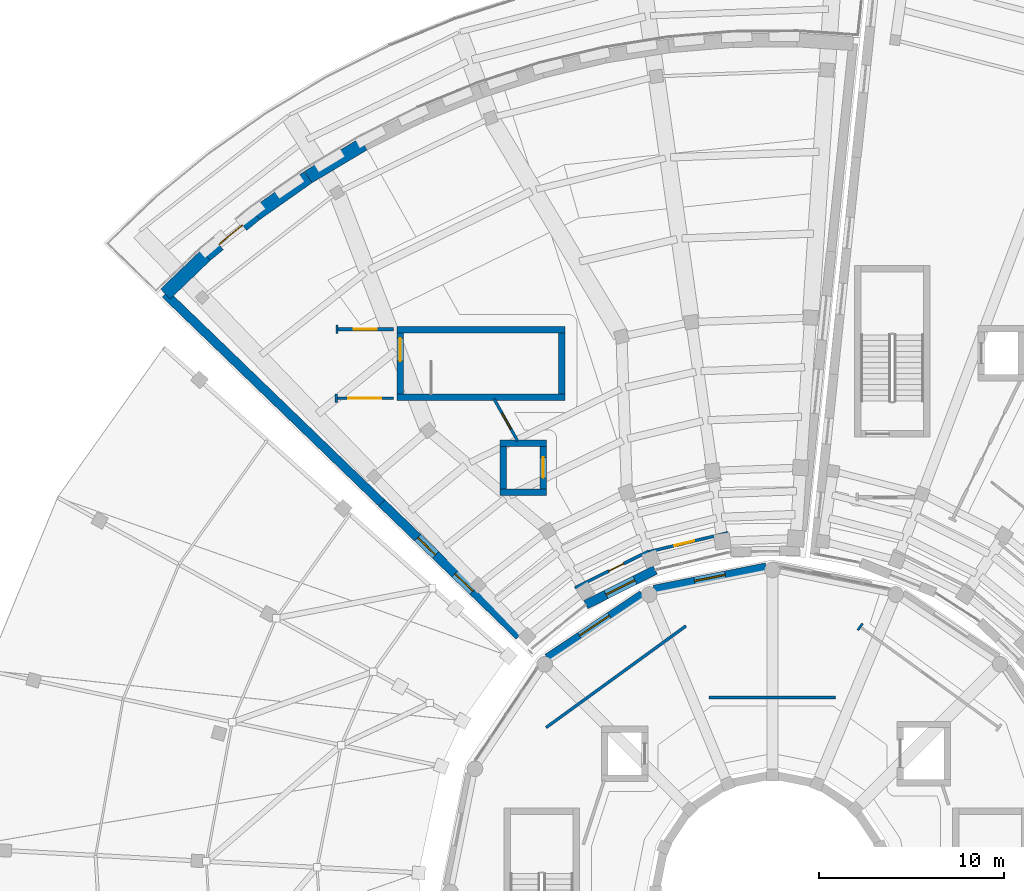
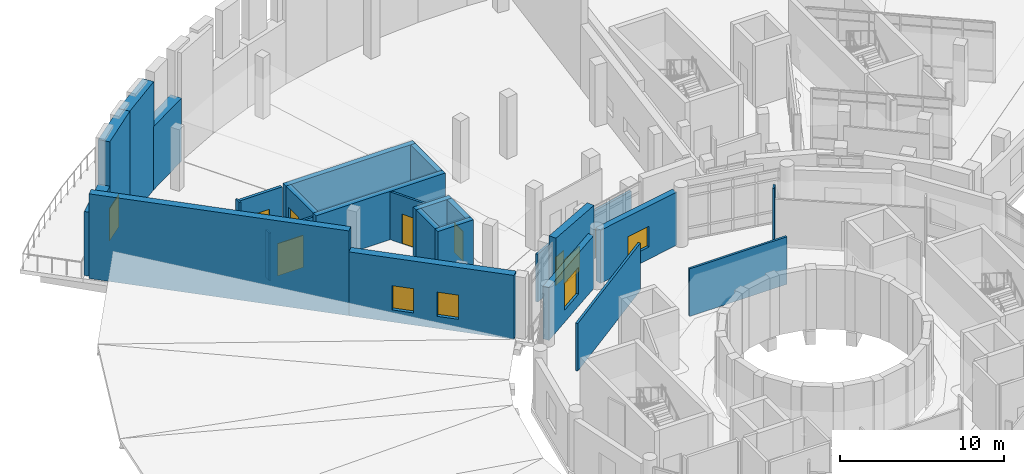
# One storey, part 35 of 49: 27 walls, 8 doors, 5 windows, 13 openings.
"""IFC4 building model written with IfcOpenShell, lengths in metres."""

from ifc_helpers import new_model, si_unit, direction, frame, frame_2d, origin, place, context, subcontext, project, spatial, rectangle, extrude, material, layer, layer_set, type_object, element, fill, save


model = new_model("IFC4")

# Units and contexts
model_context = context("Model", 3, precision=1e-05, world=origin(), true_north=direction((0.0, 1.0)))
body_context = subcontext(model_context, "Body", "Model", "MODEL_VIEW")
ifc_project = project(units=[si_unit("LENGTHUNIT", "METRE"), si_unit("AREAUNIT", "SQUARE_METRE"), si_unit("VOLUMEUNIT", "CUBIC_METRE"), si_unit("PLANEANGLEUNIT", "RADIAN"), si_unit("MASSUNIT", "GRAM", prefix="KILO")], contexts=[model_context])

# Site, building, storey
site_placement = place(None, origin())
site = spatial("IfcSite", under=ifc_project, at=site_placement, CompositionType="ELEMENT")
building_placement = place(site_placement, origin())
building = spatial("IfcBuilding", under=site, at=building_placement, Name="Soyqirgoq Riverine Aquarium", CompositionType="ELEMENT")
storey_placement = place(building_placement, frame((0.0, 0.0, 15.0)))
storey = spatial("IfcBuildingStorey", under=building, at=storey_placement, Name="L04", CompositionType="ELEMENT", Elevation=15.0)

# Walls
ifc_material_1 = material(Name="Concrete C40/50", Category="concrete")
ifc_layer_1 = layer(ifc_material_1, 0.35009765625)
ifc_layer_set_1 = layer_set([ifc_layer_1], Name="Concrete C40/50")
wall_type_1 = type_object("IfcWallType", Name="CoreShearWall_350_C40", PredefinedType="SHEAR", material=ifc_layer_set_1)
wall_1_placement = place(storey_placement, frame((35.64990234375, 83.824951171875, 0.0), z_axis=(0.0, 0.0, 1.0), x_axis=(1.0, 0.0, 0.0)))
element("IfcWall", 1, at=wall_1_placement, inside=storey, type_object=wall_type_1, Name="CORE-4 L04 Stair Core Shear Wall SIDE1", PredefinedType="SHEAR", context=body_context, shape_type="SweptSolid", body=[
    extrude(rectangle(XDim=9.10009765625, YDim=0.35009765625, at=frame_2d((4.550048828125, 0.0))), origin(), (0.0, 0.0, 1.0), 3.60009765625),
])
wall_2_placement = place(storey_placement, frame((44.574951171875, 84.0, 0.0), z_axis=(0.0, 0.0, 1.0), x_axis=(0.0, 1.0, 0.0)))
element("IfcWall", 2, at=wall_2_placement, inside=storey, type_object=wall_type_1, Name="CORE-4 L04 Stair Core Shear Wall BACK", PredefinedType="SHEAR", context=body_context, shape_type="SweptSolid", body=[
    extrude(rectangle(XDim=3.300048828125, YDim=0.35009765625, at=frame_2d((1.64990234375, 0.0))), origin(), (0.0, 0.0, 1.0), 3.60009765625),
])
wall_3_placement = place(storey_placement, frame((44.75, 87.47509765625, 0.0), z_axis=(0.0, 0.0, 1.0), x_axis=(-1.0, 0.0, 0.0)))
element("IfcWall", 3, at=wall_3_placement, inside=storey, type_object=wall_type_1, Name="CORE-4 L04 Stair Core Shear Wall SIDE2", PredefinedType="SHEAR", context=body_context, shape_type="SweptSolid", body=[
    extrude(rectangle(XDim=9.10009765625, YDim=0.35009765625, at=frame_2d((4.550048828125, 0.0))), origin(), (0.0, 0.0, 1.0), 3.60009765625),
])

# Wall, opening, door
wall_4_placement = place(storey_placement, frame((35.824951171875, 87.300048828125, 0.0), z_axis=(0.0, 0.0, 1.0), x_axis=(0.0, -1.0, 0.0)))
wall_4 = element("IfcWall", 4, at=wall_4_placement, inside=storey, type_object=wall_type_1, Name="CORE-4 L04 Stair Core Shear Wall FRONT", PredefinedType="SHEAR", context=body_context, shape_type="SweptSolid", body=[
    extrude(rectangle(XDim=3.300048828125, YDim=0.35009765625, at=frame_2d((1.64990234375, 0.0))), origin(), (0.0, 0.0, 1.0), 3.60009765625),
])
opening_1_placement = place(wall_4_placement, frame((0.280029296875, 0.0, 0.0)))
opening_1 = element("IfcOpeningElement", 5, at=opening_1_placement, cuts=wall_4, Name="Opening FD-01", PredefinedType="OPENING", context=body_context, shape_type="SweptSolid", body=[
    extrude(rectangle(XDim=1.25, YDim=2.199951171875, at=frame_2d((0.625, 1.10009765625))), frame((0.0, 0.18505859375, 0.0), z_axis=(0.0, -1.0, 0.0), x_axis=(1.0, 0.0, 0.0)), (0.0, 0.0, 1.0), 0.3701171875),
])
ifc_material_2 = material(Name="Galvanised steel fire-resisting stair door", Category="steel")
door_type_1 = type_object("IfcDoorType", Name="StairFireDoor_1250x2200_EI90", OperationType="NOTDEFINED", PredefinedType="DOOR", material=ifc_material_2)
door_1_placement = place(opening_1_placement, origin())
door_1 = element("IfcDoor", 6, at=door_1_placement, inside=storey, type_object=door_type_1, Name="DR-ST-4-L04 ST-4 L04 Fire-Rated Stairwell Door", OperationType="SINGLE_SWING_LEFT", OverallHeight=2.199951171875, OverallWidth=1.25, PredefinedType="DOOR", context=body_context, shape_type="SweptSolid", body=[
    extrude(rectangle(XDim=1.25, YDim=2.199951171875, at=frame_2d((0.625, 1.10009765625))), frame((0.0, 0.02490234375, 0.0), z_axis=(0.0, -1.0, 0.0), x_axis=(1.0, 0.0, 0.0)), (0.0, 0.0, 1.0), 0.050048828125),
])
fill(opening_1, door_1)

# Wall
wall_5_placement = place(storey_placement, frame((41.2451171875, 78.669921875, 0.0), z_axis=(0.0, 0.0, 1.0), x_axis=(1.0, 0.0, 0.0)))
element("IfcWall", 7, at=wall_5_placement, inside=storey, type_object=wall_type_1, Name="Lift PL-3 Shaft Wall L04 1", PredefinedType="SHEAR", context=body_context, shape_type="SweptSolid", body=[
    extrude(rectangle(XDim=2.509765625, YDim=0.35009765625, at=frame_2d((1.2548828125, 0.0))), origin(), (0.0, 0.0, 1.0), 3.60009765625),
])

# Wall, opening, door
wall_6_placement = place(storey_placement, frame((43.580078125, 78.844970703125, 0.0), z_axis=(0.0, 0.0, 1.0), x_axis=(0.0, 1.0, 0.0)))
wall_6 = element("IfcWall", 8, at=wall_6_placement, inside=storey, type_object=wall_type_1, Name="Lift PL-3 Shaft Wall L04 2", PredefinedType="SHEAR", context=body_context, shape_type="SweptSolid", body=[
    extrude(rectangle(XDim=2.31005859375, YDim=0.35009765625, at=frame_2d((1.155029296875, 0.0))), origin(), (0.0, 0.0, 1.0), 3.60009765625),
])
opening_2_placement = place(wall_6_placement, frame((0.60498046875, 0.0, 0.0)))
opening_2 = element("IfcOpeningElement", 9, at=opening_2_placement, cuts=wall_6, Name="Opening LD-01", PredefinedType="OPENING", context=body_context, shape_type="SweptSolid", body=[
    extrude(rectangle(XDim=1.10009765625, YDim=2.199951171875, at=frame_2d((0.550048828125, 1.10009765625))), frame((0.0, 0.18505859375, 0.0), z_axis=(0.0, -1.0, 0.0), x_axis=(1.0, 0.0, 0.0)), (0.0, 0.0, 1.0), 0.3701171875),
])
ifc_material_3 = material(Name="Brushed stainless steel telescopic lift landing door", Category="steel")
door_type_2 = type_object("IfcDoorType", Name="LiftLandingDoor_1100x2200", OperationType="SLIDING_TO_LEFT", PredefinedType="DOOR", material=ifc_material_3)
door_2_placement = place(opening_2_placement, origin())
door_2 = element("IfcDoor", 10, at=door_2_placement, inside=storey, type_object=door_type_2, Name="LD-PL-3-L04 Lift PL-3 L04 Sliding Landing Door", OperationType="SLIDING_TO_LEFT", OverallHeight=2.199951171875, OverallWidth=1.10009765625, PredefinedType="DOOR", context=body_context, shape_type="SweptSolid", body=[
    extrude(rectangle(XDim=1.10009765625, YDim=2.199951171875, at=frame_2d((0.550048828125, 1.10009765625))), frame((0.0, 0.02490234375, 0.0), z_axis=(0.0, -1.0, 0.0), x_axis=(1.0, 0.0, 0.0)), (0.0, 0.0, 1.0), 0.050048828125),
])
fill(opening_2, door_2)

# Walls
wall_7_placement = place(storey_placement, frame((43.7548828125, 81.330078125, 0.0), z_axis=(0.0, 0.0, 1.0), x_axis=(-1.0, 0.0, 0.0)))
element("IfcWall", 11, at=wall_7_placement, inside=storey, type_object=wall_type_1, Name="Lift PL-3 Shaft Wall L04 3", PredefinedType="SHEAR", context=body_context, shape_type="SweptSolid", body=[
    extrude(rectangle(XDim=2.509765625, YDim=0.35009765625, at=frame_2d((1.2548828125, 0.0))), origin(), (0.0, 0.0, 1.0), 3.60009765625),
])
wall_8_placement = place(storey_placement, frame((41.419921875, 81.155029296875, 0.0), z_axis=(0.0, 0.0, 1.0), x_axis=(0.0, -1.0, 0.0)))
element("IfcWall", 12, at=wall_8_placement, inside=storey, type_object=wall_type_1, Name="Lift PL-3 Shaft Wall L04 4", PredefinedType="SHEAR", context=body_context, shape_type="SweptSolid", body=[
    extrude(rectangle(XDim=2.31005859375, YDim=0.35009765625, at=frame_2d((1.155029296875, 0.0))), origin(), (0.0, 0.0, 1.0), 3.60009765625),
])
ifc_material_4 = material(Name="Lightweight steel-stud gypsum partition", Category="steel")
ifc_layer_2 = layer(ifc_material_4, 0.1201171875)
ifc_layer_set_2 = layer_set([ifc_layer_2], Name="Lightweight steel-stud gypsum partition")
wall_type_2 = type_object("IfcWallType", Name="PartitionWall_120_Std", PredefinedType="PARTITIONING", material=ifc_layer_set_2)
wall_9_placement = place(storey_placement, frame((60.62451171875, 71.193603515625, 0.0), z_axis=(0.0, 0.0, 1.0), x_axis=(0.587676645097, 0.809095890984, 0.0)))
element("IfcWall", 13, at=wall_9_placement, inside=storey, type_object=wall_type_2, Name="V1 L04 Jamb Return Pier", PredefinedType="PARTITIONING", context=body_context, shape_type="SweptSolid", body=[
    extrude(rectangle(XDim=0.43994140625, YDim=0.1201171875, at=frame_2d((0.219970703125, 0.0))), origin(), (0.0, 0.0, 1.0), 4.449951171875),
])
for number, where, z_axis, x_axis, name in (
    (14, (32.39990234375, 87.719970703125, 0.0), (0.0, 0.0, 1.0), (0.0, -1.0, 0.0), "V4 L04 Jamb Return Pier"),
    (15, (32.360107421875, 83.97998046875, 0.0), (0.0, 0.0, 1.0), (0.0, -1.0, 0.0), "V4 L04 Jamb Return Pier"),
):
    element("IfcWall", number, at=place(storey_placement, frame(where, z_axis=z_axis, x_axis=x_axis)), inside=storey, type_object=wall_type_2, Name=name, PredefinedType="PARTITIONING", context=body_context, shape_type="SweptSolid", body=[
        extrude(rectangle(XDim=0.43994140625, YDim=0.1201171875, at=frame_2d((0.219970703125, 0.0))), origin(), (0.0, 0.0, 1.0), 3.550048828125),
    ])
ifc_material_5 = material(Name="Acoustic mineral-wool twin-stud partition", Category="gypsum")
ifc_layer_3 = layer(ifc_material_5, 0.14990234375)
ifc_layer_set_3 = layer_set([ifc_layer_3], Name="Acoustic mineral-wool twin-stud partition")
wall_type_3 = type_object("IfcWallType", Name="PartitionWall_150_Acoustic", PredefinedType="PARTITIONING", material=ifc_layer_set_3)
wall_10_placement = place(storey_placement, frame((59.426025390625, 67.544189453125, 0.0), z_axis=(0.0, 0.0, 1.0), x_axis=(-1.0, 0.0, 0.0)))
element("IfcWall", 16, at=wall_10_placement, inside=storey, type_object=wall_type_3, Name="Deep Reef Viewing Gallery Partition Wall", PredefinedType="PARTITIONING", context=body_context, shape_type="SweptSolid", body=[
    extrude(rectangle(XDim=6.85205078125, YDim=0.14990234375, at=frame_2d((3.426025390625, 0.0))), origin(), (0.0, 0.0, 1.0), 3.5400390625),
])

# Wall, opening, door
wall_11_placement = place(storey_placement, frame((35.449951171875, 83.760009765625, 0.0), z_axis=(0.0, 0.0, 1.0), x_axis=(-1.0, 0.0, 0.0)))
wall_11 = element("IfcWall", 17, at=wall_11_placement, inside=storey, type_object=wall_type_3, Name="Touch Pool Gallery Partition Wall", PredefinedType="PARTITIONING", context=body_context, shape_type="SweptSolid", body=[
    extrude(rectangle(XDim=3.08984375, YDim=0.14990234375, at=frame_2d((1.544921875, 0.0))), origin(), (0.0, 0.0, 1.0), 3.550048828125),
])
opening_3_placement = place(wall_11_placement, frame((0.64501953125, 0.0, 0.0)))
opening_3 = element("IfcOpeningElement", 18, at=opening_3_placement, cuts=wall_11, Name="Opening ID-01", PredefinedType="OPENING", context=body_context, shape_type="SweptSolid", body=[
    extrude(rectangle(XDim=1.800048828125, YDim=2.39990234375, at=frame_2d((0.89990234375, 1.199951171875))), frame((0.0, 0.0849609375, 0.0), z_axis=(0.0, -1.0, 0.0), x_axis=(1.0, 0.0, 0.0)), (0.0, 0.0, 1.0), 0.169921875),
])
ifc_material_6 = material(Name="Acoustic timber-framed glazed gallery double door", Category="wood")
door_type_3 = type_object("IfcDoorType", Name="GalleryDoubleDoor_1800x2400", OperationType="DOUBLE_DOOR_SINGLE_SWING", PredefinedType="DOOR", material=ifc_material_6)
door_3_placement = place(opening_3_placement, origin())
door_3 = element("IfcDoor", 19, at=door_3_placement, inside=storey, type_object=door_type_3, Name="IDR-V4-L04-0131 Touch Pool Gallery Door", OperationType="DOUBLE_DOOR_SINGLE_SWING", OverallHeight=2.39990234375, OverallWidth=1.800048828125, PredefinedType="DOOR", context=body_context, shape_type="SweptSolid", body=[
    extrude(rectangle(XDim=1.800048828125, YDim=2.39990234375, at=frame_2d((0.89990234375, 1.199951171875))), frame((0.0, 0.02490234375, 0.0), z_axis=(0.0, -1.0, 0.0), x_axis=(1.0, 0.0, 0.0)), (0.0, 0.0, 1.0), 0.050048828125),
])
fill(opening_3, door_3)

wall_12_placement = place(storey_placement, frame((42.1962890625, 81.4345703125, 0.0), z_axis=(0.0, 0.0, 1.0), x_axis=(-0.489363287423, 0.872080026673, 0.0)))
wall_12 = element("IfcWall", 20, at=wall_12_placement, inside=storey, type_object=wall_type_3, Name="Touch Pool Gallery Partition Wall", PredefinedType="PARTITIONING", context=body_context, shape_type="SweptSolid", body=[
    extrude(rectangle(XDim=2.62109375, YDim=0.14990234375, at=frame_2d((1.310546875, 0.0))), origin(), (0.0, 0.0, 1.0), 3.550048828125),
])
opening_4_placement = place(wall_12_placement, frame((0.75048828125, 0.0, 0.0)))
opening_4 = element("IfcOpeningElement", 21, at=opening_4_placement, cuts=wall_12, Name="Opening ID-03", PredefinedType="OPENING", context=body_context, shape_type="SweptSolid", body=[
    extrude(rectangle(XDim=1.0, YDim=2.199951171875, at=frame_2d((0.5, 1.10009765625))), frame((0.0, 0.0849609375, 0.0), z_axis=(0.0, -1.0, 0.0), x_axis=(1.0, 0.0, 0.0)), (0.0, 0.0, 1.0), 0.169921875),
])
ifc_material_7 = material(Name="Solid-core ash veneer room door", Category="wood")
door_type_4 = type_object("IfcDoorType", Name="RoomDoor_1000x2200", OperationType="NOTDEFINED", PredefinedType="DOOR", material=ifc_material_7)
door_4_placement = place(opening_4_placement, origin())
door_4 = element("IfcDoor", 22, at=door_4_placement, inside=storey, type_object=door_type_4, Name="IDR-V4-L04-0132 Intertidal Discovery Tidepool Hall Door", OperationType="SINGLE_SWING_LEFT", OverallHeight=2.199951171875, OverallWidth=1.0, PredefinedType="DOOR", context=body_context, shape_type="SweptSolid", body=[
    extrude(rectangle(XDim=1.0, YDim=2.199951171875, at=frame_2d((0.5, 1.10009765625))), frame((0.0, 0.02490234375, 0.0), z_axis=(0.0, -1.0, 0.0), x_axis=(1.0, 0.0, 0.0)), (0.0, 0.0, 1.0), 0.050048828125),
])
fill(opening_4, door_4)

# Wall
ifc_material_8 = material(Name="Fire-rated acoustic gypsum stud partition", Category="gypsum")
ifc_layer_4 = layer(ifc_material_8, 0.159912109375)
ifc_layer_set_4 = layer_set([ifc_layer_4], Name="Fire-rated acoustic gypsum stud partition")
wall_type_4 = type_object("IfcWallType", Name="PartitionWall_160_EI60", PredefinedType="PARTITIONING", material=ifc_layer_set_4)
wall_13_placement = place(storey_placement, frame((43.73291015625, 65.91259765625, 0.0), z_axis=(0.0, 0.0, 1.0), x_axis=(0.80900863343, 0.587796759973, 0.0)))
element("IfcWall", 23, at=wall_13_placement, inside=storey, type_object=wall_type_4, Name="Interactive Reef Classroom Partition Wall", PredefinedType="PARTITIONING", context=body_context, shape_type="SweptSolid", body=[
    extrude(rectangle(XDim=9.37109375, YDim=0.159912109375, at=frame_2d((4.685546875, 0.0))), origin(), (0.0, 0.0, 1.0), 3.5400390625),
])

# Wall, opening, door
wall_14_placement = place(storey_placement, frame((45.2978515625, 73.47998046875, 0.0), z_axis=(0.0, 0.0, 1.0), x_axis=(0.894931487964, 0.446203576689, 0.0)))
wall_14 = element("IfcWall", 24, at=wall_14_placement, inside=storey, type_object=wall_type_4, Name="V4 Gallery Circulation Corridor Partition Wall", PredefinedType="PARTITIONING", context=body_context, shape_type="SweptSolid", body=[
    extrude(rectangle(XDim=4.448974609375, YDim=0.159912109375, at=frame_2d((2.224609375, 0.0))), origin(), (0.0, 0.0, 1.0), 3.550048828125),
])
opening_5_placement = place(wall_14_placement, frame((2.058349609375, 0.0, 0.0)))
opening_5 = element("IfcOpeningElement", 25, at=opening_5_placement, cuts=wall_14, Name="Opening RD-01", PredefinedType="OPENING", context=body_context, shape_type="SweptSolid", body=[
    extrude(rectangle(XDim=0.89990234375, YDim=2.10009765625, at=frame_2d((0.449951171875, 1.050048828125))), frame((0.0, 0.08984375, 0.0), z_axis=(0.0, -1.0, 0.0), x_axis=(1.0, 0.0, 0.0)), (0.0, 0.0, 1.0), 0.179931640625),
])
ifc_material_9 = material(Name="Flush steel service riser fire door", Category="steel")
door_type_5 = type_object("IfcDoorType", Name="RiserAccessDoor_900x2100_EI60", OperationType="NOTDEFINED", PredefinedType="DOOR", material=ifc_material_9)
door_5_placement = place(opening_5_placement, origin())
door_5 = element("IfcDoor", 26, at=door_5_placement, inside=storey, type_object=door_type_5, Name="IDR-V4-L04-0130 Family Wet Classroom Door", OperationType="SINGLE_SWING_RIGHT", OverallHeight=2.10009765625, OverallWidth=0.89990234375, PredefinedType="DOOR", context=body_context, shape_type="SweptSolid", body=[
    extrude(rectangle(XDim=0.89990234375, YDim=2.10009765625, at=frame_2d((0.449951171875, 1.050048828125))), frame((0.0, 0.02490234375, 0.0), z_axis=(0.0, -1.0, 0.0), x_axis=(1.0, 0.0, 0.0)), (0.0, 0.0, 1.0), 0.050048828125),
])
fill(opening_5, door_5)

wall_15_placement = place(storey_placement, frame((53.60888671875, 76.473388671875, 0.0), z_axis=(0.0, 0.0, 1.0), x_axis=(-0.972372377971, -0.233435127087, 0.0)))
wall_15 = element("IfcWall", 27, at=wall_15_placement, inside=storey, type_object=wall_type_4, Name="Family Wet Classroom Partition Wall", PredefinedType="PARTITIONING", context=body_context, shape_type="SweptSolid", body=[
    extrude(rectangle(XDim=4.455322265625, YDim=0.159912109375, at=frame_2d((2.2275390625, 0.0))), origin(), (0.0, 0.0, 1.0), 3.550048828125),
])
opening_6_placement = place(wall_15_placement, frame((1.905029296875, 0.0, 0.0)))
opening_6 = element("IfcOpeningElement", 28, at=opening_6_placement, cuts=wall_15, Name="Opening ID-04", PredefinedType="OPENING", context=body_context, shape_type="SweptSolid", body=[
    extrude(rectangle(XDim=1.10009765625, YDim=2.199951171875, at=frame_2d((0.550048828125, 1.10009765625))), frame((0.0, 0.08984375, 0.0), z_axis=(0.0, -1.0, 0.0), x_axis=(1.0, 0.0, 0.0)), (0.0, 0.0, 1.0), 0.179931640625),
])
ifc_material_10 = material(Name="Chemical-resistant HPL fire-rated laboratory door", Category="wood")
door_type_6 = type_object("IfcDoorType", Name="LabDoor_1100x2200_EI60", OperationType="NOTDEFINED", PredefinedType="DOOR", material=ifc_material_10)
door_6_placement = place(opening_6_placement, origin())
door_6 = element("IfcDoor", 29, at=door_6_placement, inside=storey, type_object=door_type_6, Name="IDR-V4-L04-0133 Family Wet Classroom Door", OperationType="SINGLE_SWING_RIGHT", OverallHeight=2.199951171875, OverallWidth=1.10009765625, PredefinedType="DOOR", context=body_context, shape_type="SweptSolid", body=[
    extrude(rectangle(XDim=1.10009765625, YDim=2.199951171875, at=frame_2d((0.550048828125, 1.10009765625))), frame((0.0, 0.02490234375, 0.0), z_axis=(0.0, -1.0, 0.0), x_axis=(1.0, 0.0, 0.0)), (0.0, 0.0, 1.0), 0.050048828125),
])
fill(opening_6, door_6)

ifc_material_11 = material(Name="Fire-rated calcium silicate twin-stud partition", Category="gypsum")
ifc_layer_5 = layer(ifc_material_11, 0.199951171875)
ifc_layer_set_5 = layer_set([ifc_layer_5], Name="Fire-rated calcium silicate twin-stud partition")
wall_type_5 = type_object("IfcWallType", Name="PartitionWall_200_EI90", PredefinedType="PARTITIONING", material=ifc_layer_set_5)
wall_16_placement = place(storey_placement, frame((35.449951171875, 87.5, 0.0), z_axis=(0.0, 0.0, 1.0), x_axis=(-1.0, 0.0, 0.0)))
wall_16 = element("IfcWall", 30, at=wall_16_placement, inside=storey, type_object=wall_type_5, Name="Lift and Stair Lobby ST-4 Fire Enclosure Wall", PredefinedType="PARTITIONING", context=body_context, shape_type="SweptSolid", body=[
    extrude(rectangle(XDim=3.050048828125, YDim=0.199951171875, at=frame_2d((1.52490234375, 0.0))), origin(), (0.0, 0.0, 1.0), 3.550048828125),
])
opening_7_placement = place(wall_16_placement, frame((0.89990234375, 0.0, 0.0)))
opening_7 = element("IfcOpeningElement", 31, at=opening_7_placement, cuts=wall_16, Name="Opening FD-01", PredefinedType="OPENING", context=body_context, shape_type="SweptSolid", body=[
    extrude(rectangle(XDim=1.25, YDim=2.199951171875, at=frame_2d((0.625, 1.10009765625))), frame((0.0, 0.10986328125, 0.0), z_axis=(0.0, -1.0, 0.0), x_axis=(1.0, 0.0, 0.0)), (0.0, 0.0, 1.0), 0.219970703125),
])
door_7_placement = place(opening_7_placement, origin())
door_7 = element("IfcDoor", 32, at=door_7_placement, inside=storey, type_object=door_type_1, Name="IDR-V4-L04-0128 Lift and Stair Lobby ST-4 Egress Fire Door", OperationType="SINGLE_SWING_LEFT", OverallHeight=2.199951171875, OverallWidth=1.25, PredefinedType="DOOR", context=body_context, shape_type="SweptSolid", body=[
    extrude(rectangle(XDim=1.25, YDim=2.199951171875, at=frame_2d((0.625, 1.10009765625))), frame((0.0, 0.02490234375, 0.0), z_axis=(0.0, -1.0, 0.0), x_axis=(1.0, 0.0, 0.0)), (0.0, 0.0, 1.0), 0.050048828125),
])
fill(opening_7, door_7)

# Wall
ifc_material_12 = material(Name="Honed travertine limestone cavity wall", Category="masonry")
ifc_layer_6 = layer(ifc_material_12, 0.47998046875)
ifc_layer_set_6 = layer_set([ifc_layer_6], Name="Honed travertine limestone cavity wall")
wall_type_6 = type_object("IfcWallType", Name="TravertineCavityWall_480", PredefinedType="SOLIDWALL", material=ifc_layer_set_6)
wall_17_placement = place(storey_placement, frame((34.824951171875, 78.087890625, 0.0), z_axis=(0.0, 0.0, 1.0), x_axis=(-0.719339781949, 0.694658389502, 0.0)))
element("IfcWall", 33, at=wall_17_placement, inside=storey, type_object=wall_type_6, Name="V4 L04 Exterior Travertine Wall 0220", PredefinedType="SOLIDWALL", context=body_context, shape_type="SweptSolid", body=[
    extrude(rectangle(XDim=16.301513671875, YDim=0.47998046875, at=frame_2d((8.15087890625, 0.0))), origin(), (0.0, 0.0, 1.0), 6.301513671875),
])

# Wall, openings, windows
ifc_material_13 = material(Name="Honed travertine limestone cavity wall", Category="masonry")
ifc_layer_7 = layer(ifc_material_13, 0.5)
ifc_layer_set_7 = layer_set([ifc_layer_7], Name="Honed travertine limestone cavity wall")
wall_type_7 = type_object("IfcWallType", Name="TravertineCavityWall_500", PredefinedType="SOLIDWALL", material=ifc_layer_set_7)
wall_18_placement = place(storey_placement, frame((42.280517578125, 70.88818359375, 0.0), z_axis=(0.0, 0.0, 1.0), x_axis=(-0.719342199252, 0.694655886303, 0.0)))
wall_18 = element("IfcWall", 34, at=wall_18_placement, inside=storey, type_object=wall_type_7, Name="V4 L04 Exterior Travertine Wall 0219", PredefinedType="SOLIDWALL", context=body_context, shape_type="SweptSolid", body=[
    extrude(rectangle(XDim=10.364501953125, YDim=0.5, at=frame_2d((5.18212890625, 0.0))), origin(), (0.0, 0.0, 1.0), 4.75341796875),
])
opening_8_placement = place(wall_18_placement, frame((3.487060546875, 0.0, 0.89990234375)))
opening_8 = element("IfcOpeningElement", 35, at=opening_8_placement, cuts=wall_18, Name="Opening WN-08", PredefinedType="OPENING", context=body_context, shape_type="SweptSolid", body=[
    extrude(rectangle(XDim=1.35009765625, YDim=1.800048828125, at=frame_2d((0.675048828125, 0.89990234375))), frame((0.0, 0.260009765625, 0.0), z_axis=(0.0, -1.0, 0.0), x_axis=(1.0, 0.0, 0.0)), (0.0, 0.0, 1.0), 0.52001953125),
])
opening_9_placement = place(wall_18_placement, frame((6.30712890625, 0.0, 0.89990234375)))
opening_9 = element("IfcOpeningElement", 36, at=opening_9_placement, cuts=wall_18, Name="Opening WN-08", PredefinedType="OPENING", context=body_context, shape_type="SweptSolid", body=[
    extrude(rectangle(XDim=1.35009765625, YDim=1.800048828125, at=frame_2d((0.675048828125, 0.89990234375))), frame((0.0, 0.260009765625, 0.0), z_axis=(0.0, -1.0, 0.0), x_axis=(1.0, 0.0, 0.0)), (0.0, 0.0, 1.0), 0.52001953125),
])
ifc_material_14 = material(Name="Thermally broken aluminium triple low-E window", Category="aluminium")
window_type_1 = type_object("IfcWindowType", Name="Win_Office_1350x1800", PartitioningType="DOUBLE_PANEL_VERTICAL", PredefinedType="WINDOW", material=ifc_material_14)
window_1_placement = place(opening_8_placement, origin())
window_1 = element("IfcWindow", 37, at=window_1_placement, inside=storey, type_object=window_type_1, Name="V4 L04 Facade Window 0173", OverallHeight=1.800048828125, OverallWidth=1.35009765625, PartitioningType="DOUBLE_PANEL_VERTICAL", PredefinedType="WINDOW", context=body_context, shape_type="SweptSolid", body=[
    extrude(rectangle(XDim=1.35009765625, YDim=1.800048828125, at=frame_2d((0.675048828125, 0.89990234375))), frame((0.0, 0.030029296875, 0.0), z_axis=(0.0, -1.0, 0.0), x_axis=(1.0, 0.0, 0.0)), (0.0, 0.0, 1.0), 0.06005859375),
])
fill(opening_8, window_1)
window_2_placement = place(opening_9_placement, origin())
window_2 = element("IfcWindow", 38, at=window_2_placement, inside=storey, type_object=window_type_1, Name="V4 L04 Facade Window 0174", OverallHeight=1.800048828125, OverallWidth=1.35009765625, PartitioningType="DOUBLE_PANEL_VERTICAL", PredefinedType="WINDOW", context=body_context, shape_type="SweptSolid", body=[
    extrude(rectangle(XDim=1.35009765625, YDim=1.800048828125, at=frame_2d((0.675048828125, 0.89990234375))), frame((0.0, 0.030029296875, 0.0), z_axis=(0.0, -1.0, 0.0), x_axis=(1.0, 0.0, 0.0)), (0.0, 0.0, 1.0), 0.06005859375),
])
fill(opening_9, window_2)

# Wall, opening, window
wall_19_placement = place(storey_placement, frame((49.648681640625, 74.4501953125, 0.0), z_axis=(0.0, 0.0, 1.0), x_axis=(-0.894937601865, -0.446191314088, 0.0)))
wall_19 = element("IfcWall", 39, at=wall_19_placement, inside=storey, type_object=wall_type_7, Name="V4 L04 Exterior Travertine Wall 0236", PredefinedType="SOLIDWALL", context=body_context, shape_type="SweptSolid", body=[
    extrude(rectangle(XDim=4.204345703125, YDim=0.5, at=frame_2d((2.10205078125, 0.0))), origin(), (0.0, 0.0, 1.0), 5.159912109375),
])
opening_10_placement = place(wall_19_placement, frame((1.227294921875, 0.0, 0.89990234375)))
opening_10 = element("IfcOpeningElement", 40, at=opening_10_placement, cuts=wall_19, Name="Opening WN-19", PredefinedType="OPENING", context=body_context, shape_type="SweptSolid", body=[
    extrude(rectangle(XDim=1.75, YDim=1.85009765625, at=frame_2d((0.875, 0.925048828125))), frame((0.0, 0.260009765625, 0.0), z_axis=(0.0, -1.0, 0.0), x_axis=(1.0, 0.0, 0.0)), (0.0, 0.0, 1.0), 0.52001953125),
])
ifc_material_15 = material(Name="Thermally broken aluminium triple low-E window", Category="aluminium")
window_type_2 = type_object("IfcWindowType", Name="Win_Office_1750x1850", PartitioningType="DOUBLE_PANEL_VERTICAL", PredefinedType="WINDOW", material=ifc_material_15)
window_3_placement = place(opening_10_placement, origin())
window_3 = element("IfcWindow", 41, at=window_3_placement, inside=storey, type_object=window_type_2, Name="V4 L04 Facade Window 0178", OverallHeight=1.85009765625, OverallWidth=1.75, PartitioningType="DOUBLE_PANEL_VERTICAL", PredefinedType="WINDOW", context=body_context, shape_type="SweptSolid", body=[
    extrude(rectangle(XDim=1.75, YDim=1.85009765625, at=frame_2d((0.875, 0.925048828125))), frame((0.0, 0.030029296875, 0.0), z_axis=(0.0, -1.0, 0.0), x_axis=(1.0, 0.0, 0.0)), (0.0, 0.0, 1.0), 0.06005859375),
])
fill(opening_10, window_3)

# Wall
ifc_material_16 = material(Name="Honed travertine limestone cavity wall", Category="masonry")
ifc_layer_8 = layer(ifc_material_16, 0.75)
ifc_layer_set_8 = layer_set([ifc_layer_8], Name="Honed travertine limestone cavity wall")
wall_type_8 = type_object("IfcWallType", Name="TravertineNicheWall_750", PredefinedType="SOLIDWALL", material=ifc_layer_set_8)
wall_20_placement = place(storey_placement, frame((23.0986328125, 89.411865234375, 0.0), z_axis=(0.0, 0.0, 1.0), x_axis=(0.72136801879, 0.69255193413, 0.0)))
element("IfcWall", 42, at=wall_20_placement, inside=storey, type_object=wall_type_8, Name="V4 L04 Exterior Travertine Wall 0221", PredefinedType="SOLIDWALL", context=body_context, shape_type="SweptSolid", body=[
    extrude(rectangle(XDim=3.033203125, YDim=0.75, at=frame_2d((1.5166015625, 0.0))), origin(), (0.0, 0.0, 1.0), 4.75341796875),
])

# Wall, opening, door
wall_21_placement = place(storey_placement, frame((25.28662109375, 91.512451171875, 0.0), z_axis=(0.0, 0.0, 1.0), x_axis=(0.771641666907, 0.636057495745, 0.0)))
wall_21 = element("IfcWall", 43, at=wall_21_placement, inside=storey, type_object=wall_type_8, Name="V4 L04 Exterior Travertine Wall 0222", PredefinedType="SOLIDWALL", context=body_context, shape_type="SweptSolid", body=[
    extrude(rectangle(XDim=3.4931640625, YDim=0.75, at=frame_2d((1.74658203125, 0.0))), origin(), (0.0, 0.0, 1.0), 8.044921875),
])
opening_11_placement = place(wall_21_placement, frame((0.921630859375, 0.0, 0.0)))
opening_11 = element("IfcOpeningElement", 44, at=opening_11_placement, cuts=wall_21, Name="Opening TD-03", PredefinedType="OPENING", context=body_context, shape_type="SweptSolid", body=[
    extrude(rectangle(XDim=1.64990234375, YDim=2.39990234375, at=frame_2d((0.824951171875, 1.199951171875))), frame((0.0, 0.385009765625, 0.0), z_axis=(0.0, -1.0, 0.0), x_axis=(1.0, 0.0, 0.0)), (0.0, 0.0, 1.0), 0.77001953125),
])
ifc_material_17 = material(Name="Thermally broken aluminium glazed terrace door", Category="aluminium")
door_type_7 = type_object("IfcDoorType", Name="TerraceDoubleDoor_1650x2400", OperationType="DOUBLE_DOOR_SINGLE_SWING", PredefinedType="DOOR", material=ifc_material_17)
door_8_placement = place(opening_11_placement, origin())
door_8 = element("IfcDoor", 45, at=door_8_placement, inside=storey, type_object=door_type_7, Name="EDR-TERR-V4-L04-031 V4 L04 Planted Roof Terrace Access Door", OperationType="DOUBLE_DOOR_SINGLE_SWING", OverallHeight=2.39990234375, OverallWidth=1.64990234375, PredefinedType="DOOR", context=body_context, shape_type="SweptSolid", body=[
    extrude(rectangle(XDim=1.64990234375, YDim=2.39990234375, at=frame_2d((0.824951171875, 1.199951171875))), frame((0.0, 0.02490234375, 0.0), z_axis=(0.0, -1.0, 0.0), x_axis=(1.0, 0.0, 0.0)), (0.0, 0.0, 1.0), 0.050048828125),
])
fill(opening_11, door_8)

# Walls
wall_22_placement = place(storey_placement, frame((27.982177734375, 93.734375, 0.0), z_axis=(0.0, 0.0, 1.0), x_axis=(0.817484676695, 0.575950348007, 0.0)))
element("IfcWall", 46, at=wall_22_placement, inside=storey, type_object=wall_type_8, Name="V4 L04 Exterior Travertine Wall 0223", PredefinedType="SOLIDWALL", context=body_context, shape_type="SweptSolid", body=[
    extrude(rectangle(XDim=3.493408203125, YDim=0.75, at=frame_2d((1.74658203125, 0.0))), origin(), (0.0, 0.0, 1.0), 8.044921875),
])
wall_23_placement = place(storey_placement, frame((30.837890625, 95.746337890625, 0.0), z_axis=(0.0, 0.0, 1.0), x_axis=(0.858650075593, 0.512562237864, 0.0)))
element("IfcWall", 47, at=wall_23_placement, inside=storey, type_object=wall_type_8, Name="V4 L04 Exterior Travertine Wall 0224", PredefinedType="SOLIDWALL", context=body_context, shape_type="SweptSolid", body=[
    extrude(rectangle(XDim=3.493408203125, YDim=0.75, at=frame_2d((1.74658203125, 0.0))), origin(), (0.0, 0.0, 1.0), 4.703369140625),
])

# Wall, opening, window
ifc_material_18 = material(Name="Honed travertine limestone cavity wall", Category="masonry")
ifc_layer_9 = layer(ifc_material_18, 0.39990234375)
ifc_layer_set_9 = layer_set([ifc_layer_9], Name="Honed travertine limestone cavity wall")
wall_type_9 = type_object("IfcWallType", Name="TravertineSpandrelWall_400", PredefinedType="SOLIDWALL", material=ifc_layer_set_9)
wall_24_placement = place(storey_placement, frame((43.781982421875, 69.714599609375, 0.0), z_axis=(0.0, 0.0, 1.0), x_axis=(0.831449094451, 0.555600938927, 0.0)))
wall_24 = element("IfcWall", 48, at=wall_24_placement, inside=storey, type_object=wall_type_9, Name="V1 L04 Exterior Travertine Wall 0024", PredefinedType="SOLIDWALL", context=body_context, shape_type="SweptSolid", body=[
    extrude(rectangle(XDim=6.190185546875, YDim=0.39990234375, at=frame_2d((3.09521484375, 0.0))), origin(), (0.0, 0.0, 1.0), 3.93994140625),
])
opening_12_placement = place(wall_24_placement, frame((2.1201171875, 0.0, 0.89990234375)))
opening_12 = element("IfcOpeningElement", 49, at=opening_12_placement, cuts=wall_24, Name="Opening WN-14", PredefinedType="OPENING", context=body_context, shape_type="SweptSolid", body=[
    extrude(rectangle(XDim=1.949951171875, YDim=2.0, at=frame_2d((0.97509765625, 1.0))), frame((0.0, 0.2099609375, 0.0), z_axis=(0.0, -1.0, 0.0), x_axis=(1.0, 0.0, 0.0)), (0.0, 0.0, 1.0), 0.419921875),
])
ifc_material_19 = material(Name="Thermally broken aluminium triple low-E window", Category="aluminium")
window_type_3 = type_object("IfcWindowType", Name="Win_Gallery_1950x2000", PartitioningType="DOUBLE_PANEL_VERTICAL", PredefinedType="WINDOW", material=ifc_material_19)
window_4_placement = place(opening_12_placement, origin())
window_4 = element("IfcWindow", 50, at=window_4_placement, inside=storey, type_object=window_type_3, Name="V1 L04 Facade Window 0013", OverallHeight=2.0, OverallWidth=1.949951171875, PartitioningType="DOUBLE_PANEL_VERTICAL", PredefinedType="WINDOW", context=body_context, shape_type="SweptSolid", body=[
    extrude(rectangle(XDim=1.949951171875, YDim=2.0, at=frame_2d((0.97509765625, 1.0))), frame((0.0, 0.030029296875, 0.0), z_axis=(0.0, -1.0, 0.0), x_axis=(1.0, 0.0, 0.0)), (0.0, 0.0, 1.0), 0.06005859375),
])
fill(opening_12, window_4)

ifc_material_20 = material(Name="Honed travertine limestone cavity wall", Category="masonry")
ifc_layer_10 = layer(ifc_material_20, 0.419921875)
ifc_layer_set_10 = layer_set([ifc_layer_10], Name="Honed travertine limestone cavity wall")
wall_type_10 = type_object("IfcWallType", Name="TravertineSpandrelWall_420", PredefinedType="SOLIDWALL", material=ifc_layer_set_10)
wall_25_placement = place(storey_placement, frame((49.57763671875, 73.422607421875, 0.0), z_axis=(0.0, 0.0, 1.0), x_axis=(0.980787950659, 0.195076897252, 0.0)))
wall_25 = element("IfcWall", 51, at=wall_25_placement, inside=storey, type_object=wall_type_10, Name="V1 L04 Exterior Travertine Wall 0018", PredefinedType="SOLIDWALL", context=body_context, shape_type="SweptSolid", body=[
    extrude(rectangle(XDim=6.18994140625, YDim=0.419921875, at=frame_2d((3.094970703125, 0.0))), origin(), (0.0, 0.0, 1.0), 3.949951171875),
])
opening_13_placement = place(wall_25_placement, frame((2.2451171875, 0.0, 0.89990234375)))
opening_13 = element("IfcOpeningElement", 52, at=opening_13_placement, cuts=wall_25, Name="Opening WN-21", PredefinedType="OPENING", context=body_context, shape_type="SweptSolid", body=[
    extrude(rectangle(XDim=1.699951171875, YDim=1.550048828125, at=frame_2d((0.85009765625, 0.77490234375))), frame((0.0, 0.219970703125, 0.0), z_axis=(0.0, -1.0, 0.0), x_axis=(1.0, 0.0, 0.0)), (0.0, 0.0, 1.0), 0.43994140625),
])
ifc_material_21 = material(Name="Thermally broken aluminium triple low-E window", Category="aluminium")
window_type_4 = type_object("IfcWindowType", Name="Win_Lab_1700x1550", PartitioningType="DOUBLE_PANEL_VERTICAL", PredefinedType="WINDOW", material=ifc_material_21)
window_5_placement = place(opening_13_placement, origin())
window_5 = element("IfcWindow", 53, at=window_5_placement, inside=storey, type_object=window_type_4, Name="V1 L04 Facade Window 0009", OverallHeight=1.550048828125, OverallWidth=1.699951171875, PartitioningType="DOUBLE_PANEL_VERTICAL", PredefinedType="WINDOW", context=body_context, shape_type="SweptSolid", body=[
    extrude(rectangle(XDim=1.699951171875, YDim=1.550048828125, at=frame_2d((0.85009765625, 0.77490234375))), frame((0.0, 0.030029296875, 0.0), z_axis=(0.0, -1.0, 0.0), x_axis=(1.0, 0.0, 0.0)), (0.0, 0.0, 1.0), 0.06005859375),
])
fill(opening_13, window_5)

save(model, "model.ifc")
